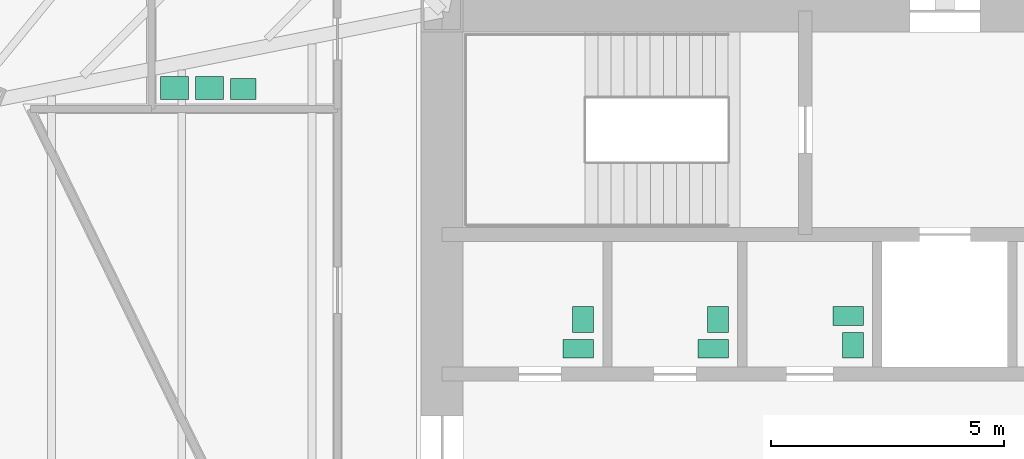
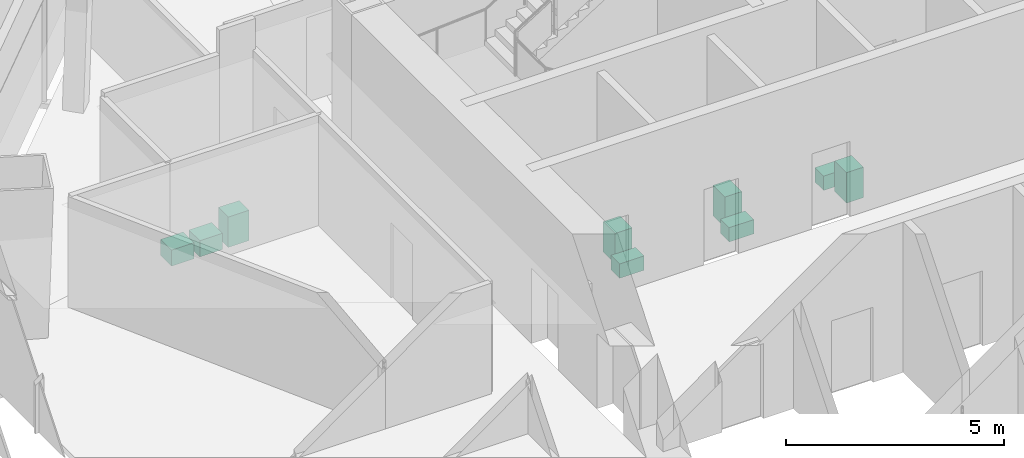
# One storey, part 15 of 15: 9 sanitary terminals.
"""IFC4 building model written with IfcOpenShell, lengths in metres."""

from ifc_helpers import new_model, si_unit, direction, frame, origin, origin_2d, place, context, subcontext, project, spatial, rectangle, extrude, material, type_object, element, save


model = new_model("IFC4")

# Units and contexts
model_context = context("Model", 3, precision=1e-05, world=origin(), true_north=direction((0.0, 1.0)))
body_context = subcontext(model_context, "Body", "Model", "MODEL_VIEW")
ifc_project = project(units=[si_unit("LENGTHUNIT", "METRE"), si_unit("AREAUNIT", "SQUARE_METRE"), si_unit("VOLUMEUNIT", "CUBIC_METRE"), si_unit("PLANEANGLEUNIT", "RADIAN"), si_unit("MASSUNIT", "GRAM", prefix="KILO")], contexts=[model_context])

# Site, building, storey
site_placement = place(None, origin())
site = spatial("IfcSite", under=ifc_project, at=site_placement, CompositionType="ELEMENT")
building_placement = place(site_placement, origin())
building = spatial("IfcBuilding", under=site, at=building_placement, Name="Mashrafa Tower", CompositionType="ELEMENT")
storey_placement = place(building_placement, frame((0.0, 0.0, 184.800048828125)))
storey = spatial("IfcBuildingStorey", under=building, at=storey_placement, Name="L42", CompositionType="ELEMENT", Elevation=184.800048828125)

# Sanitary terminals
ifc_material_1 = material(Name="Stainless steel", Category="steel")
sanitary_terminal_type_1 = type_object("IfcSanitaryTerminalType", Name="Ablution wash station 600 x 500", PredefinedType="WASHHANDBASIN", material=ifc_material_1)
for number, where, z_axis, x_axis, name in (
    (1, (-16.550048828125, 9.14990234375, 0.0), (0.0, 0.0, 1.0), (1.0, 0.0, 0.0), "Ablution wash station Ablution Room L42"),
    (2, (-15.800048828125, 9.14990234375, 0.0), (0.0, 0.0, 1.0), (1.0, 0.0, 0.0), "Ablution wash station Ablution Room L42"),
):
    element("IfcSanitaryTerminal", number, at=place(storey_placement, frame(where, z_axis=z_axis, x_axis=x_axis)), inside=storey, type_object=sanitary_terminal_type_1, Name=name, PredefinedType="WASHHANDBASIN", context=body_context, shape_type="SweptSolid", body=[
        extrude(rectangle(XDim=0.60009765625, YDim=0.5, at=origin_2d()), origin(), (0.0, 0.0, 1.0), 0.449951171875),
    ])
ifc_material_2 = material(Name="Vitreous china")
sanitary_terminal_type_2 = type_object("IfcSanitaryTerminalType", Name="Toilet pan 400 x 650", PredefinedType="TOILETPAN", material=ifc_material_2)
for number, where, z_axis, x_axis, name in (
    (3, (-7.875, 3.550048828125, 0.0), (0.0, 0.0, 1.0), (0.0, 1.0, 0.0), "Toilet pan WC Male L42"),
    (4, (-4.97509765625, 3.550048828125, 0.0), (0.0, 0.0, 1.0), (0.0, 1.0, 0.0), "Toilet pan WC Female L42"),
    (5, (-2.074951171875, 4.25, 0.0), (0.0, 0.0, 1.0), (0.0, 1.0, 0.0), "Toilet pan Accessible WC L42"),
):
    element("IfcSanitaryTerminal", number, at=place(storey_placement, frame(where, z_axis=z_axis, x_axis=x_axis)), inside=storey, type_object=sanitary_terminal_type_2, Name=name, PredefinedType="TOILETPAN", context=body_context, shape_type="SweptSolid", body=[
        extrude(rectangle(XDim=0.39990234375, YDim=0.64990234375, at=origin_2d()), origin(), (0.0, 0.0, 1.0), 0.39990234375),
    ])
ifc_material_3 = material(Name="Vitreous china")
sanitary_terminal_type_3 = type_object("IfcSanitaryTerminalType", Name="Wash basin 550 x 450", PredefinedType="WASHHANDBASIN", material=ifc_material_3)
for number, where, z_axis, x_axis, name in (
    (6, (-7.77490234375, 4.175048828125, 0.0), (0.0, 0.0, 1.0), (0.0, 1.0, 0.0), "Wash basin WC Male L42"),
    (7, (-4.875, 4.175048828125, 0.0), (0.0, 0.0, 1.0), (0.0, 1.0, 0.0), "Wash basin WC Female L42"),
    (8, (-1.97509765625, 3.625, 0.0), (0.0, 0.0, 1.0), (0.0, 1.0, 0.0), "Wash basin Accessible WC L42"),
    (9, (-15.074951171875, 9.125, 0.0), (0.0, 0.0, 1.0), (1.0, 0.0, 0.0), "Wash basin Ablution Room L42"),
):
    element("IfcSanitaryTerminal", number, at=place(storey_placement, frame(where, z_axis=z_axis, x_axis=x_axis)), inside=storey, type_object=sanitary_terminal_type_3, Name=name, PredefinedType="WASHHANDBASIN", context=body_context, shape_type="SweptSolid", body=[
        extrude(rectangle(XDim=0.550048828125, YDim=0.449951171875, at=origin_2d()), origin(), (0.0, 0.0, 1.0), 0.85009765625),
    ])

save(model, "model.ifc")
